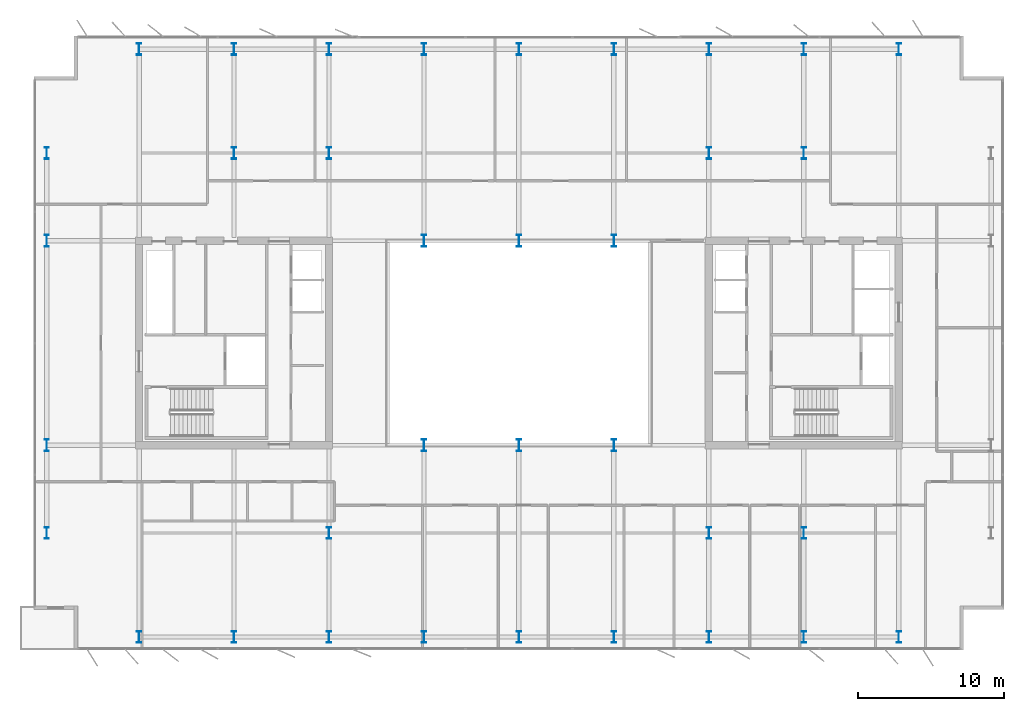
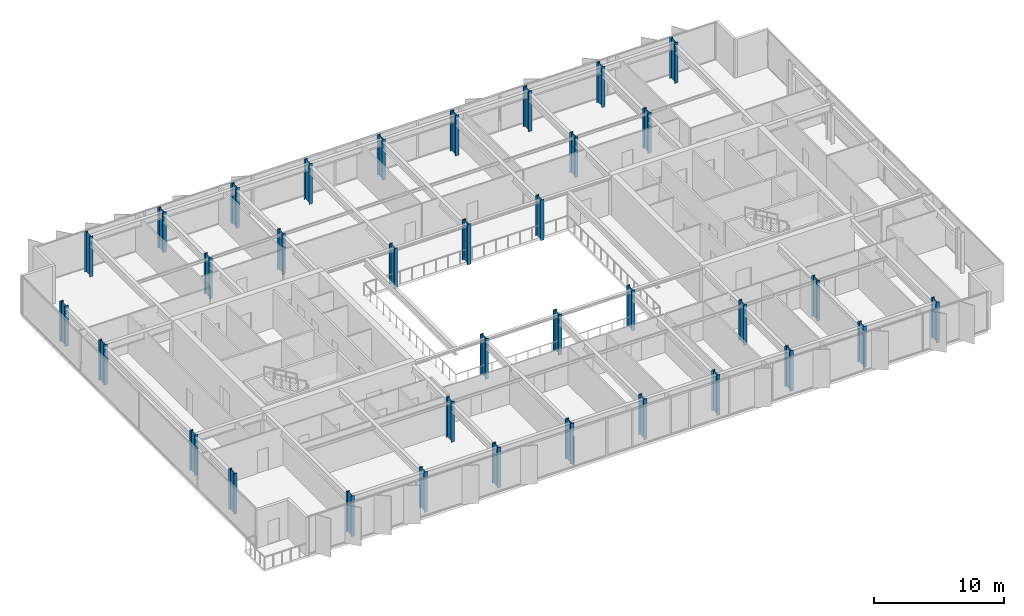
# One storey, part 1 of 24: 35 columns.
"""IFC4 building model written with IfcOpenShell, lengths in metres."""

import ifcopenshell
import ifcopenshell.guid

model = None  # the IFC model being written
_history = None  # IfcOwnerHistory: only IFC2X3 demands one
_inside = {}  # id of a spatial element -> (the spatial element, [elements in it])
_under = {}  # id of a project, library or spatial element -> (it, [spatial elements below it])
_declared = {}  # id of a project -> (the project, [libraries it declares])
_typed = {}  # id of a type object -> (the type object, [elements of that type])
_made_of = {}  # id of a material, layer set ... -> (it, [elements and type objects made of it])


def new_model(schema):
    """Start an empty IFC model of exactly this schema.

    Asked for "IFC4X3", IfcOpenShell would pick the latest addendum, in which some entities
    have other attributes; the version numbers below select the first issue.
    IFC2X3 requires an IfcOwnerHistory on every rooted entity: one is made here for all.
    """
    global model, _history
    if schema == "IFC4X3":
        model = ifcopenshell.file(schema_version=(4, 3, 0, 0))
    else:
        model = ifcopenshell.file(schema=schema)
    _inside.clear()
    _under.clear()
    _declared.clear()
    _typed.clear()
    _made_of.clear()
    _history = None
    if model.schema == "IFC2X3":
        org = make("IfcOrganization", Name="unknown")
        user = make(
            "IfcPersonAndOrganization",
            ThePerson=make("IfcPerson", FamilyName="unknown"),
            TheOrganization=org,
        )
        app = make(
            "IfcApplication",
            ApplicationDeveloper=org,
            Version="unknown",
            ApplicationFullName="unknown",
            ApplicationIdentifier="unknown",
        )
        _history = make(
            "IfcOwnerHistory",
            OwningUser=user,
            OwningApplication=app,
            ChangeAction="ADDED",
            CreationDate=0,
        )
    return model


def make(cls, **values):
    """One entity of the class cls with the attributes given. An attribute that is None is left unset."""
    return model.create_entity(
        cls, **{name: value for name, value in values.items() if value is not None}
    )


def rooted(cls, **values):
    """An entity with a GlobalId (a new one), such as an element, a storey or a relation."""
    return make(cls, GlobalId=ifcopenshell.guid.new(), OwnerHistory=_history, **values)


def si_unit(unit_type, name, prefix=None):
    """IfcSIUnit, for example si_unit("LENGTHUNIT", "METRE", prefix="MILLI")."""
    return make("IfcSIUnit", UnitType=unit_type, Prefix=prefix, Name=name)


def assignment(units):
    """IfcUnitAssignment: the units of a project."""
    return None if units is None else make("IfcUnitAssignment", Units=units)


def point(xyz):
    """IfcCartesianPoint."""
    return None if xyz is None else make("IfcCartesianPoint", Coordinates=xyz)


def direction(xyz):
    """IfcDirection."""
    return None if xyz is None else make("IfcDirection", DirectionRatios=xyz)


def frame(location, z_axis=None, x_axis=None):
    """IfcAxis2Placement3D, a coordinate frame: its origin and axes. An axis left out is left unset."""
    return make(
        "IfcAxis2Placement3D",
        Location=point(location),
        Axis=direction(z_axis),
        RefDirection=direction(x_axis),
    )


def frame_2d(location, x_axis=None):
    """IfcAxis2Placement2D, a coordinate frame in the plane: its origin and x axis."""
    return make(
        "IfcAxis2Placement2D", Location=point(location), RefDirection=direction(x_axis)
    )


def origin():
    """The frame at (0, 0, 0) with its axes left unset."""
    return frame((0.0, 0.0, 0.0))


def origin_2d():
    """The frame at (0, 0) in the plane with its x axis left unset."""
    return frame_2d((0.0, 0.0))


def place(relative_to, where):
    """IfcLocalPlacement: puts the frame where relative to a parent placement (None: the world)."""
    return make(
        "IfcLocalPlacement", PlacementRelTo=relative_to, RelativePlacement=where
    )


def context(
    kind, dimensions, precision=None, world=None, true_north=None, identifier=None
):
    """IfcGeometricRepresentationContext, for example the 3D "Model" context."""
    return make(
        "IfcGeometricRepresentationContext",
        ContextIdentifier=identifier,
        ContextType=kind,
        CoordinateSpaceDimension=dimensions,
        Precision=precision,
        WorldCoordinateSystem=world,
        TrueNorth=true_north,
    )


def subcontext(parent, identifier, kind, view, scale=None):
    """IfcGeometricRepresentationSubContext, for example "Body" below "Model"."""
    return make(
        "IfcGeometricRepresentationSubContext",
        ContextIdentifier=identifier,
        ContextType=kind,
        ParentContext=parent,
        TargetScale=scale,
        TargetView=view,
    )


def project(units=None, contexts=None):
    """IfcProject with its units and contexts."""
    return rooted(
        "IfcProject",
        Name="project",
        RepresentationContexts=contexts,
        UnitsInContext=assignment(units),
    )


def spatial(cls, under=None, at=None, **own):
    """A site, building, storey or space (cls), placed at a placement, below another one or the project."""
    s = rooted(cls, ObjectPlacement=at, **own)
    if under is not None:
        _under.setdefault(under.id(), (under, []))[1].append(s)
    return s


def profile(cls, at=None, kind="AREA", **sizes):
    """A parametric profile (cls). Its sizes go by their IFC names, for example OverallWidth=200.0."""
    return make(cls, ProfileType=kind, Position=at, **sizes)


def i_section(**sizes):
    """IfcIShapeProfileDef."""
    return profile("IfcIShapeProfileDef", **sizes)


def extrude(swept, where, along, depth):
    """IfcExtrudedAreaSolid: the profile swept, set in the frame where, extruded along a direction by depth."""
    return make(
        "IfcExtrudedAreaSolid",
        SweptArea=swept,
        Position=where,
        ExtrudedDirection=direction(along),
        Depth=depth,
    )


def shape(context_of_items, identifier, shape_type, items):
    """IfcShapeRepresentation: the items that make up one representation, for example the "Body"."""
    return make(
        "IfcShapeRepresentation",
        ContextOfItems=context_of_items,
        RepresentationIdentifier=identifier,
        RepresentationType=shape_type,
        Items=items,
    )


def material(Name=None, Category=None):
    """IfcMaterial."""
    return make("IfcMaterial", Name=Name, Category=Category)


def material_profile(
    of_material, cross_section, Name=None, Category=None, Priority=None
):
    """IfcMaterialProfile: a cross section and its material."""
    return make(
        "IfcMaterialProfile",
        Name=Name,
        Material=of_material,
        Profile=cross_section,
        Priority=Priority,
        Category=Category,
    )


def profile_set(profiles, Name=None, composite=None):
    """IfcMaterialProfileSet."""
    return make(
        "IfcMaterialProfileSet",
        Name=Name,
        MaterialProfiles=profiles,
        CompositeProfile=composite,
    )


def made_of(thing, what):
    """Note that an element or type object is made of a material, layer set ...; save() writes the relation."""
    if what is not None:
        _made_of.setdefault(what.id(), (what, []))[1].append(thing)
    return thing


def type_object(cls, material=None, **own):
    """A type object (cls), such as IfcWallType, which elements share."""
    return made_of(rooted(cls, **own), material)


def element(
    cls,
    number,
    at=None,
    inside=None,
    cuts=None,
    type_object=None,
    material=None,
    context=None,
    identifier="Body",
    shape_type=None,
    held_by="IfcProductDefinitionShape",
    body=None,
    shapes=None,
    **own,
):
    """One element of the class cls, such as IfcWall. Its Tag is "e" and its number.

    at: its placement. inside: the storey or other place that contains it. cuts: it is an
    opening in that element (IfcRelVoidsElement). A single representation is given by context,
    identifier, shape_type and body (its items); several are given by shapes. held_by: the class
    of the entity that holds the representations. save() writes the other relations.
    """
    e = rooted(cls, Tag="e%d" % number, ObjectPlacement=at, **own)
    if body is not None:
        shapes = [shape(context, identifier, shape_type, body)]
    if shapes is not None:
        e.Representation = make(held_by, Representations=shapes)
    if inside is not None:
        _inside.setdefault(inside.id(), (inside, []))[1].append(e)
    if cuts is not None:
        rooted(
            "IfcRelVoidsElement", RelatingBuildingElement=cuts, RelatedOpeningElement=e
        )
    if type_object is not None:
        _typed.setdefault(type_object.id(), (type_object, []))[1].append(e)
    return made_of(e, material)


def aggregate(whole, parts):
    """IfcRelAggregates: a whole, such as a stair, and the parts it consists of."""
    return rooted("IfcRelAggregates", RelatingObject=whole, RelatedObjects=parts)


def save(model, path):
    """Write the relations noted so far, then the file.

    IfcRelAggregates (storeys below a building ...), IfcRelContainedInSpatialStructure (elements
    in a storey), IfcRelDefinesByType, IfcRelAssociatesMaterial and IfcRelDeclares: one each for
    every whole, place, type object, material and project.
    """
    for whole, parts in _under.values():
        aggregate(whole, parts)
    for where, things in _inside.values():
        rooted(
            "IfcRelContainedInSpatialStructure",
            RelatedElements=things,
            RelatingStructure=where,
        )
    for kind, things in _typed.values():
        rooted("IfcRelDefinesByType", RelatedObjects=things, RelatingType=kind)
    for what, things in _made_of.values():
        rooted("IfcRelAssociatesMaterial", RelatedObjects=things, RelatingMaterial=what)
    for by, libraries in _declared.values():
        rooted("IfcRelDeclares", RelatingContext=by, RelatedDefinitions=libraries)
    model.write(path)


model = new_model("IFC4")

# Units and contexts
model_context = context("Model", 3, precision=1e-05, world=origin(), true_north=direction((0.0, 1.0)))
body_context = subcontext(model_context, "Body", "Model", "MODEL_VIEW")
ifc_project = project(units=[si_unit("LENGTHUNIT", "METRE"), si_unit("AREAUNIT", "SQUARE_METRE"), si_unit("VOLUMEUNIT", "CUBIC_METRE"), si_unit("PLANEANGLEUNIT", "RADIAN"), si_unit("MASSUNIT", "GRAM", prefix="KILO")], contexts=[model_context])

# Site, building, storey
site_placement = place(None, origin())
site = spatial("IfcSite", under=ifc_project, at=site_placement, CompositionType="ELEMENT")
building_placement = place(site_placement, origin())
building = spatial("IfcBuilding", under=site, at=building_placement, Name="Putna Gate Headquarters", CompositionType="ELEMENT")
storey_placement = place(building_placement, frame((0.0, 0.0, 236.60009765625)))
storey = spatial("IfcBuildingStorey", under=building, at=storey_placement, Name="L59", CompositionType="ELEMENT", Elevation=236.60009765625)

# Columns
ifc_material = material(Name="Steel S460M", Category="steel")
ifc_material_profile_1 = material_profile(ifc_material, i_section(OverallWidth=0.302978515625, OverallDepth=0.81396484375, WebThickness=0.02099609375, FlangeThickness=0.0400390625, at=origin_2d()), Name="Steel S460M")
ifc_profile_set_1 = profile_set([ifc_material_profile_1], Name="Steel S460M")
column_type_1 = type_object("IfcColumnType", Name="COL-STL-HEM800-EXT", PredefinedType="COLUMN", material=ifc_profile_set_1)
for number, where, z_axis, x_axis, name in (
    (1, (13.0, 5.8798828125, 0.0), (0.0, 0.0, 1.0), (1.0, 0.0, 0.0), "L59 Column CP-S13"),
    (2, (13.0, 46.1201171875, 0.0), (0.0, 0.0, 1.0), (1.0, 0.0, 0.0), "L59 Column CP-N13"),
    (3, (19.5, 5.8798828125, 0.0), (0.0, 0.0, 1.0), (1.0, 0.0, 0.0), "L59 Column CP-S19"),
    (4, (19.5, 46.1201171875, 0.0), (0.0, 0.0, 1.0), (1.0, 0.0, 0.0), "L59 Column CP-N19"),
    (5, (26.0, 5.8798828125, 0.0), (0.0, 0.0, 1.0), (1.0, 0.0, 0.0), "L59 Column CP-S26"),
    (6, (26.0, 46.1201171875, 0.0), (0.0, 0.0, 1.0), (1.0, 0.0, 0.0), "L59 Column CP-N26"),
    (7, (32.5, 5.8798828125, 0.0), (0.0, 0.0, 1.0), (1.0, 0.0, 0.0), "L59 Column CP-S32"),
    (8, (32.5, 46.1201171875, 0.0), (0.0, 0.0, 1.0), (1.0, 0.0, 0.0), "L59 Column CP-N32"),
    (9, (39.0, 5.8798828125, 0.0), (0.0, 0.0, 1.0), (1.0, 0.0, 0.0), "L59 Column CP-S39"),
    (10, (39.0, 46.1201171875, 0.0), (0.0, 0.0, 1.0), (1.0, 0.0, 0.0), "L59 Column CP-N39"),
    (11, (45.5, 5.8798828125, 0.0), (0.0, 0.0, 1.0), (1.0, 0.0, 0.0), "L59 Column CP-S45"),
    (12, (45.5, 46.1201171875, 0.0), (0.0, 0.0, 1.0), (1.0, 0.0, 0.0), "L59 Column CP-N45"),
    (13, (52.0, 5.8798828125, 0.0), (0.0, 0.0, 1.0), (1.0, 0.0, 0.0), "L59 Column CP-S52"),
    (14, (52.0, 46.1201171875, 0.0), (0.0, 0.0, 1.0), (1.0, 0.0, 0.0), "L59 Column CP-N52"),
    (15, (58.5, 5.8798828125, 0.0), (0.0, 0.0, 1.0), (1.0, 0.0, 0.0), "L59 Column CP-S58"),
    (16, (58.5, 46.1201171875, 0.0), (0.0, 0.0, 1.0), (1.0, 0.0, 0.0), "L59 Column CP-N58"),
    (17, (65.0, 5.8798828125, 0.0), (0.0, 0.0, 1.0), (1.0, 0.0, 0.0), "L59 Column CP-S65"),
    (18, (65.0, 46.1201171875, 0.0), (0.0, 0.0, 1.0), (1.0, 0.0, 0.0), "L59 Column CP-N65"),
    (19, (6.679931640625, 13.0, 0.0), (0.0, 0.0, 1.0), (1.0, 0.0, 0.0), "L59 Column CP-W13"),
    (20, (6.679931640625, 19.0, 0.0), (0.0, 0.0, 1.0), (1.0, 0.0, 0.0), "L59 Column CP-W19"),
    (21, (6.679931640625, 33.0, 0.0), (0.0, 0.0, 1.0), (1.0, 0.0, 0.0), "L59 Column CP-W33"),
    (22, (6.679931640625, 39.0, 0.0), (0.0, 0.0, 1.0), (1.0, 0.0, 0.0), "L59 Column CP-W39"),
):
    element("IfcColumn", number, at=place(storey_placement, frame(where, z_axis=z_axis, x_axis=x_axis)), inside=storey, type_object=column_type_1, Name=name, PredefinedType="COLUMN", context=body_context, shape_type="SweptSolid", body=[
        extrude(i_section(OverallWidth=0.302978515625, OverallDepth=0.81396484375, WebThickness=0.02099609375, FlangeThickness=0.0400390625, at=origin_2d()), origin(), (0.0, 0.0, 1.0), 3.7998046875),
    ])
ifc_material_profile_2 = material_profile(ifc_material, i_section(OverallWidth=0.302978515625, OverallDepth=0.81396484375, WebThickness=0.02099609375, FlangeThickness=0.0400390625, at=origin_2d()), Name="Steel S460M")
ifc_profile_set_2 = profile_set([ifc_material_profile_2], Name="Steel S460M")
column_type_2 = type_object("IfcColumnType", Name="COL-STL-HEM800-INT", PredefinedType="COLUMN", material=ifc_profile_set_2)
for number, where, z_axis, x_axis, name in (
    (23, (19.5, 39.0, 0.0), (0.0, 0.0, 1.0), (1.0, 0.0, 0.0), "L59 Column CSI-WN"),
    (24, (58.5, 13.0, 0.0), (0.0, 0.0, 1.0), (1.0, 0.0, 0.0), "L59 Column CSI-ES"),
    (25, (58.5, 39.0, 0.0), (0.0, 0.0, 1.0), (1.0, 0.0, 0.0), "L59 Column CSI-EN"),
    (26, (32.5, 19.0, 0.0), (0.0, 0.0, 1.0), (1.0, 0.0, 0.0), "L59 Column CAI-S32"),
    (27, (32.5, 33.0, 0.0), (0.0, 0.0, 1.0), (1.0, 0.0, 0.0), "L59 Column CAI-N32"),
    (28, (39.0, 19.0, 0.0), (0.0, 0.0, 1.0), (1.0, 0.0, 0.0), "L59 Column CAI-S39"),
    (29, (39.0, 33.0, 0.0), (0.0, 0.0, 1.0), (1.0, 0.0, 0.0), "L59 Column CAI-N39"),
    (30, (45.5, 19.0, 0.0), (0.0, 0.0, 1.0), (1.0, 0.0, 0.0), "L59 Column CAI-S45"),
    (31, (45.5, 33.0, 0.0), (0.0, 0.0, 1.0), (1.0, 0.0, 0.0), "L59 Column CAI-N45"),
    (32, (26.0, 13.0, 0.0), (0.0, 0.0, 1.0), (1.0, 0.0, 0.0), "L59 Column CAP-WS"),
    (33, (26.0, 39.0, 0.0), (0.0, 0.0, 1.0), (1.0, 0.0, 0.0), "L59 Column CAP-WN"),
    (34, (52.0, 13.0, 0.0), (0.0, 0.0, 1.0), (1.0, 0.0, 0.0), "L59 Column CAP-ES"),
    (35, (52.0, 39.0, 0.0), (0.0, 0.0, 1.0), (1.0, 0.0, 0.0), "L59 Column CAP-EN"),
):
    element("IfcColumn", number, at=place(storey_placement, frame(where, z_axis=z_axis, x_axis=x_axis)), inside=storey, type_object=column_type_2, Name=name, PredefinedType="COLUMN", context=body_context, shape_type="SweptSolid", body=[
        extrude(i_section(OverallWidth=0.302978515625, OverallDepth=0.81396484375, WebThickness=0.02099609375, FlangeThickness=0.0400390625, at=origin_2d()), origin(), (0.0, 0.0, 1.0), 3.7998046875),
    ])

save(model, "model.ifc")
